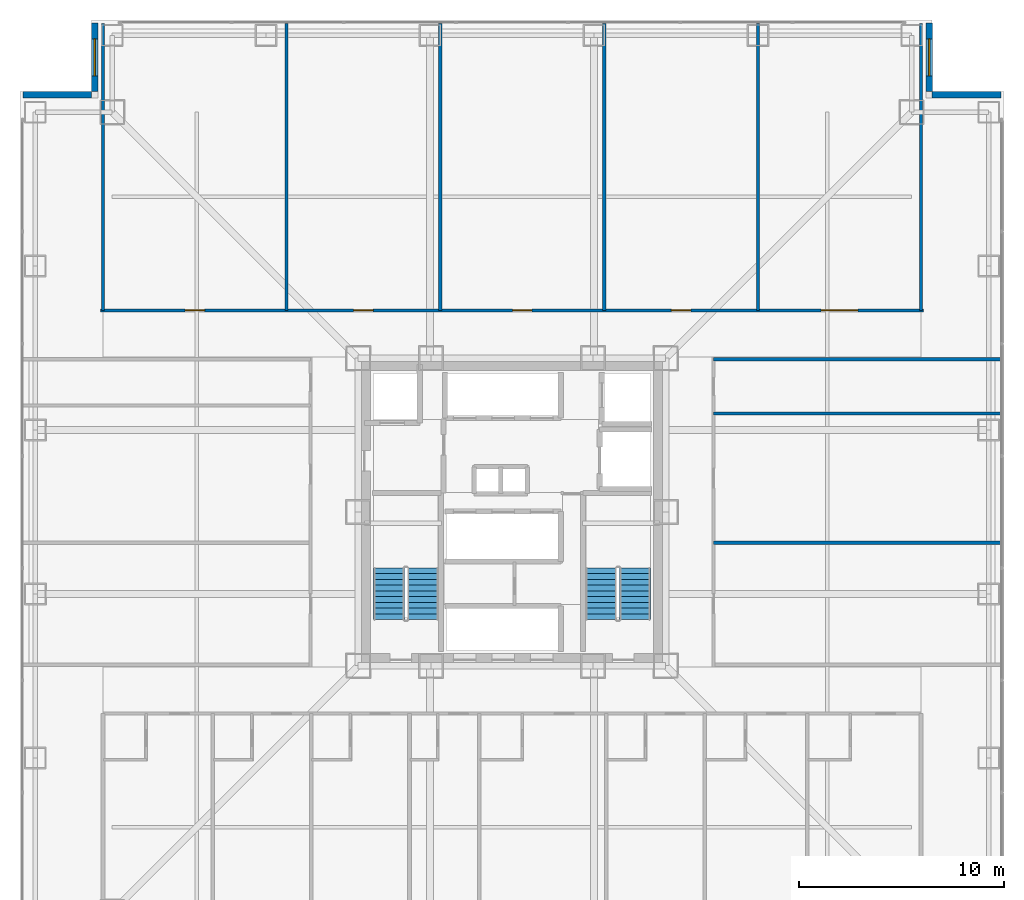
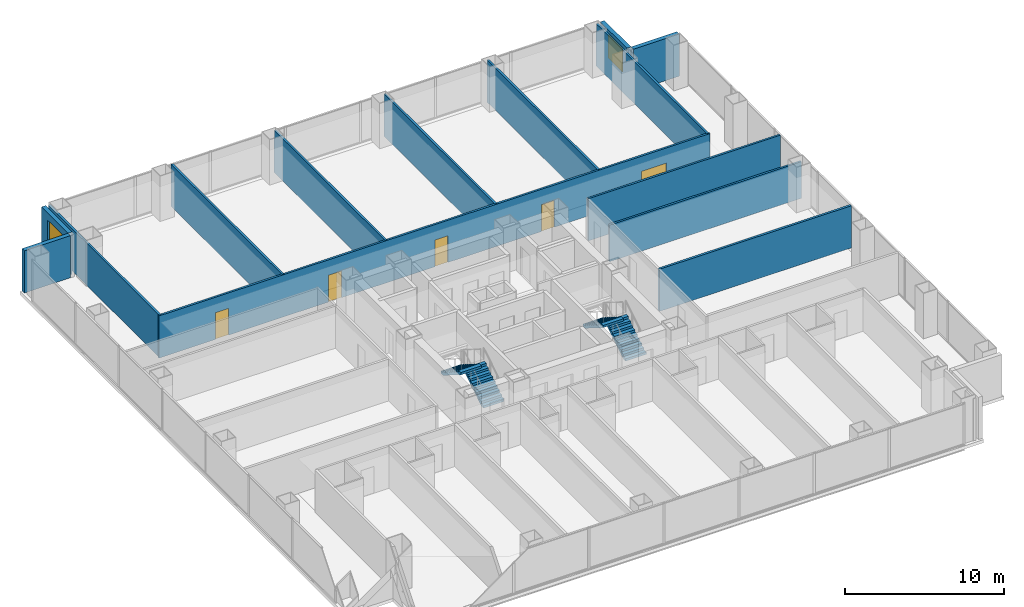
# One storey, part 17 of 20: 14 walls, 5 doors, 4 stair flights, 2 windows, 7 openings, 2 elements without a shape of their own.
"""IFC4 building model written with IfcOpenShell, lengths in metres."""

from ifc_helpers import new_model, si_unit, direction, frame, frame_2d, origin, place, context, subcontext, project, spatial, polyline, rectangle, outline, extrude, material, layer, layer_set, type_object, element, fill, aggregate, save


model = new_model("IFC4")

# Units and contexts
model_context = context("Model", 3, precision=1e-05, world=origin(), true_north=direction((0.0, 1.0)))
body_context = subcontext(model_context, "Body", "Model", "MODEL_VIEW")
ifc_project = project(units=[si_unit("LENGTHUNIT", "METRE"), si_unit("AREAUNIT", "SQUARE_METRE"), si_unit("VOLUMEUNIT", "CUBIC_METRE"), si_unit("PLANEANGLEUNIT", "RADIAN"), si_unit("MASSUNIT", "GRAM", prefix="KILO")], contexts=[model_context])

# Site, building, storey
site_placement = place(None, origin())
site = spatial("IfcSite", under=ifc_project, at=site_placement, CompositionType="ELEMENT")
building_placement = place(site_placement, origin())
building = spatial("IfcBuilding", under=site, at=building_placement, Name="Trevonay Congress Spire", CompositionType="ELEMENT")
storey_placement = place(building_placement, frame((0.0, 0.0, 62.0)))
storey = spatial("IfcBuildingStorey", under=building, at=storey_placement, Name="L15", CompositionType="ELEMENT", Elevation=62.0)

# Wall, openings, doors
ifc_material_1 = material(Name="Concrete C40/50", Category="concrete")
ifc_layer_1 = layer(ifc_material_1, 0.14990234375, Name="Concrete C40/50")
ifc_layer_set_1 = layer_set([ifc_layer_1], Name="Concrete C40/50")
wall_type_1 = type_object("IfcWallType", Name="WAL-CORR-150", PredefinedType="PARTITIONING", material=ifc_layer_set_1)
wall_1_placement = place(storey_placement, frame((-20.070068359375, 9.830078125, 0.0), z_axis=(0.0, 0.0, 1.0), x_axis=(1.0, 0.0, 0.0)))
wall_1 = element("IfcWall", 1, at=wall_1_placement, inside=storey, type_object=wall_type_1, Name="L15 interior wall WP-L15N-COR", PredefinedType="PARTITIONING", context=body_context, shape_type="SweptSolid", body=[
    extrude(rectangle(XDim=40.14013671875, YDim=0.14990234375, at=frame_2d((20.070068359375, 0.0))), origin(), (0.0, 0.0, 1.0), 3.25),
])
opening_1_placement = place(wall_1_placement, frame((4.1201171875, 0.0, 0.0)))
opening_1 = element("IfcOpeningElement", 2, at=opening_1_placement, cuts=wall_1, Name="Opening D07", PredefinedType="OPENING", context=body_context, shape_type="SweptSolid", body=[
    extrude(rectangle(XDim=0.949951171875, YDim=2.06005859375, at=frame_2d((0.47509765625, 1.030029296875))), frame((0.0, 0.0849609375, 0.0), z_axis=(0.0, -1.0, 0.0), x_axis=(1.0, 0.0, 0.0)), (0.0, 0.0, 1.0), 0.169921875),
])
opening_2_placement = place(wall_1_placement, frame((12.344970703125, 0.0, 0.0)))
opening_2 = element("IfcOpeningElement", 3, at=opening_2_placement, cuts=wall_1, Name="Opening D07", PredefinedType="OPENING", context=body_context, shape_type="SweptSolid", body=[
    extrude(rectangle(XDim=0.949951171875, YDim=2.06005859375, at=frame_2d((0.47509765625, 1.030029296875))), frame((0.0, 0.0849609375, 0.0), z_axis=(0.0, -1.0, 0.0), x_axis=(1.0, 0.0, 0.0)), (0.0, 0.0, 1.0), 0.169921875),
])
opening_3_placement = place(wall_1_placement, frame((20.094970703125, 0.0, 0.0)))
opening_3 = element("IfcOpeningElement", 4, at=opening_3_placement, cuts=wall_1, Name="Opening D07", PredefinedType="OPENING", context=body_context, shape_type="SweptSolid", body=[
    extrude(rectangle(XDim=0.949951171875, YDim=2.06005859375, at=frame_2d((0.47509765625, 1.030029296875))), frame((0.0, 0.0849609375, 0.0), z_axis=(0.0, -1.0, 0.0), x_axis=(1.0, 0.0, 0.0)), (0.0, 0.0, 1.0), 0.169921875),
])
opening_4_placement = place(wall_1_placement, frame((27.844970703125, 0.0, 0.0)))
opening_4 = element("IfcOpeningElement", 5, at=opening_4_placement, cuts=wall_1, Name="Opening D07", PredefinedType="OPENING", context=body_context, shape_type="SweptSolid", body=[
    extrude(rectangle(XDim=0.949951171875, YDim=2.06005859375, at=frame_2d((0.47509765625, 1.030029296875))), frame((0.0, 0.0849609375, 0.0), z_axis=(0.0, -1.0, 0.0), x_axis=(1.0, 0.0, 0.0)), (0.0, 0.0, 1.0), 0.169921875),
])
opening_5_placement = place(wall_1_placement, frame((35.14501953125, 0.0, 0.0)))
opening_5 = element("IfcOpeningElement", 6, at=opening_5_placement, cuts=wall_1, Name="Opening D09", PredefinedType="OPENING", context=body_context, shape_type="SweptSolid", body=[
    extrude(rectangle(XDim=1.800048828125, YDim=2.080078125, at=frame_2d((0.89990234375, 1.0400390625))), frame((0.0, 0.0849609375, 0.0), z_axis=(0.0, -1.0, 0.0), x_axis=(1.0, 0.0, 0.0)), (0.0, 0.0, 1.0), 0.169921875),
])
ifc_material_2 = material(Name="Pale Anodised Aluminium EN AW-6063-T6", Category="aluminium")
door_type_1 = type_object("IfcDoorType", Name="DOR-CONF-DBL", OperationType="DOUBLE_DOOR_SINGLE_SWING", PredefinedType="DOOR", material=ifc_material_2)
door_1_placement = place(opening_5_placement, origin())
door_1 = element("IfcDoor", 7, at=door_1_placement, inside=storey, type_object=door_type_1, Name="L15 Club Reading Library Lounge Door", OperationType="DOUBLE_DOOR_SINGLE_SWING", OverallHeight=2.080078125, OverallWidth=1.800048828125, PredefinedType="DOOR", context=body_context, shape_type="SweptSolid", body=[
    extrude(rectangle(XDim=1.800048828125, YDim=2.080078125, at=frame_2d((0.89990234375, 1.0400390625))), frame((0.0, 0.02490234375, 0.0), z_axis=(0.0, -1.0, 0.0), x_axis=(1.0, 0.0, 0.0)), (0.0, 0.0, 1.0), 0.050048828125),
])
fill(opening_5, door_1)
door_type_2 = type_object("IfcDoorType", Name="DOR-OFFICE-95", OperationType="NOTDEFINED", PredefinedType="DOOR", material=ifc_material_2)
door_2_placement = place(opening_1_placement, origin())
door_2 = element("IfcDoor", 8, at=door_2_placement, inside=storey, type_object=door_type_2, Name="L15 Executive Club Co-Working Office 1 Door", OperationType="SINGLE_SWING_LEFT", OverallHeight=2.06005859375, OverallWidth=0.949951171875, PredefinedType="DOOR", context=body_context, shape_type="SweptSolid", body=[
    extrude(rectangle(XDim=0.949951171875, YDim=2.06005859375, at=frame_2d((0.47509765625, 1.030029296875))), frame((0.0, 0.02490234375, 0.0), z_axis=(0.0, -1.0, 0.0), x_axis=(1.0, 0.0, 0.0)), (0.0, 0.0, 1.0), 0.050048828125),
])
fill(opening_1, door_2)
door_3_placement = place(opening_2_placement, origin())
door_3 = element("IfcDoor", 9, at=door_3_placement, inside=storey, type_object=door_type_2, Name="L15 Visiting Delegation Office 2 Door", OperationType="SINGLE_SWING_RIGHT", OverallHeight=2.06005859375, OverallWidth=0.949951171875, PredefinedType="DOOR", context=body_context, shape_type="SweptSolid", body=[
    extrude(rectangle(XDim=0.949951171875, YDim=2.06005859375, at=frame_2d((0.47509765625, 1.030029296875))), frame((0.0, 0.02490234375, 0.0), z_axis=(0.0, -1.0, 0.0), x_axis=(1.0, 0.0, 0.0)), (0.0, 0.0, 1.0), 0.050048828125),
])
fill(opening_2, door_3)
door_4_placement = place(opening_3_placement, origin())
door_4 = element("IfcDoor", 10, at=door_4_placement, inside=storey, type_object=door_type_2, Name="L15 Diplomatic Secretariat Office 3 Door", OperationType="SINGLE_SWING_LEFT", OverallHeight=2.06005859375, OverallWidth=0.949951171875, PredefinedType="DOOR", context=body_context, shape_type="SweptSolid", body=[
    extrude(rectangle(XDim=0.949951171875, YDim=2.06005859375, at=frame_2d((0.47509765625, 1.030029296875))), frame((0.0, 0.02490234375, 0.0), z_axis=(0.0, -1.0, 0.0), x_axis=(1.0, 0.0, 0.0)), (0.0, 0.0, 1.0), 0.050048828125),
])
fill(opening_3, door_4)
door_5_placement = place(opening_4_placement, origin())
door_5 = element("IfcDoor", 11, at=door_5_placement, inside=storey, type_object=door_type_2, Name="L15 Executive Boardroom North Door", OperationType="SINGLE_SWING_RIGHT", OverallHeight=2.06005859375, OverallWidth=0.949951171875, PredefinedType="DOOR", context=body_context, shape_type="SweptSolid", body=[
    extrude(rectangle(XDim=0.949951171875, YDim=2.06005859375, at=frame_2d((0.47509765625, 1.030029296875))), frame((0.0, 0.02490234375, 0.0), z_axis=(0.0, -1.0, 0.0), x_axis=(1.0, 0.0, 0.0)), (0.0, 0.0, 1.0), 0.050048828125),
])
fill(opening_4, door_5)

# Wall, opening, window
ifc_material_3 = material(Name="Precast concrete C40/50", Category="concrete")
ifc_layer_2 = layer(ifc_material_3, 0.300048828125, Name="Precast concrete C40/50")
ifc_layer_set_2 = layer_set([ifc_layer_2], Name="Precast concrete C40/50")
wall_type_2 = type_object("IfcWallType", Name="WAL-EXT-PRECAST-300", PredefinedType="SOLIDWALL", material=ifc_layer_set_2)
wall_2_placement = place(storey_placement, frame((20.35009765625, 23.85009765625, 0.0), z_axis=(0.0, 0.0, 1.0), x_axis=(0.0, -1.0, 0.0)))
wall_2 = element("IfcWall", 12, at=wall_2_placement, inside=storey, type_object=wall_type_2, Name="L15 NE re-entrant notch exterior wall 1", PredefinedType="SOLIDWALL", context=body_context, shape_type="SweptSolid", body=[
    extrude(rectangle(XDim=3.35009765625, YDim=0.300048828125, at=frame_2d((1.675048828125, 0.0))), origin(), (0.0, 0.0, 1.0), 3.25),
])
opening_6_placement = place(wall_2_placement, frame((0.77490234375, 0.0, 0.89990234375)))
opening_6 = element("IfcOpeningElement", 13, at=opening_6_placement, cuts=wall_2, Name="Opening WN01", PredefinedType="OPENING", context=body_context, shape_type="SweptSolid", body=[
    extrude(rectangle(XDim=1.800048828125, YDim=1.800048828125, at=frame_2d((0.89990234375, 0.89990234375))), frame((0.0, 0.16015625, 0.0), z_axis=(0.0, -1.0, 0.0), x_axis=(1.0, 0.0, 0.0)), (0.0, 0.0, 1.0), 0.320068359375),
])
ifc_material_4 = material(Name="Insulated Low-E Vision Glass IGU", Category="glass")
window_type = type_object("IfcWindowType", Name="WIN-HOTEL-180X180", PartitioningType="SINGLE_PANEL", PredefinedType="WINDOW", material=ifc_material_4)
window_1_placement = place(opening_6_placement, origin())
window_1 = element("IfcWindow", 14, at=window_1_placement, inside=storey, type_object=window_type, Name="L15 NE corner notch window", OverallHeight=1.800048828125, OverallWidth=1.800048828125, PartitioningType="SINGLE_PANEL", PredefinedType="WINDOW", context=body_context, shape_type="SweptSolid", body=[
    extrude(rectangle(XDim=1.800048828125, YDim=1.800048828125, at=frame_2d((0.89990234375, 0.89990234375))), frame((0.0, 0.030029296875, 0.0), z_axis=(0.0, -1.0, 0.0), x_axis=(1.0, 0.0, 0.0)), (0.0, 0.0, 1.0), 0.06005859375),
])
fill(opening_6, window_1)

# Wall
wall_3_placement = place(storey_placement, frame((23.85009765625, 20.35009765625, 0.0), z_axis=(0.0, 0.0, 1.0), x_axis=(-1.0, 0.0, 0.0)))
element("IfcWall", 15, at=wall_3_placement, inside=storey, type_object=wall_type_2, Name="L15 NE re-entrant notch exterior wall 2", PredefinedType="SOLIDWALL", context=body_context, shape_type="SweptSolid", body=[
    extrude(rectangle(XDim=3.35009765625, YDim=0.300048828125, at=frame_2d((1.675048828125, 0.0))), origin(), (0.0, 0.0, 1.0), 3.25),
])

# Wall, opening, window
wall_4_placement = place(storey_placement, frame((-20.35009765625, 23.85009765625, 0.0), z_axis=(0.0, 0.0, 1.0), x_axis=(0.0, -1.0, 0.0)))
wall_4 = element("IfcWall", 16, at=wall_4_placement, inside=storey, type_object=wall_type_2, Name="L15 NW re-entrant notch exterior wall 1", PredefinedType="SOLIDWALL", context=body_context, shape_type="SweptSolid", body=[
    extrude(rectangle(XDim=3.35009765625, YDim=0.300048828125, at=frame_2d((1.675048828125, 0.0))), origin(), (0.0, 0.0, 1.0), 3.25),
])
opening_7_placement = place(wall_4_placement, frame((0.77490234375, 0.0, 0.89990234375)))
opening_7 = element("IfcOpeningElement", 17, at=opening_7_placement, cuts=wall_4, Name="Opening WN01", PredefinedType="OPENING", context=body_context, shape_type="SweptSolid", body=[
    extrude(rectangle(XDim=1.800048828125, YDim=1.800048828125, at=frame_2d((0.89990234375, 0.89990234375))), frame((0.0, 0.16015625, 0.0), z_axis=(0.0, -1.0, 0.0), x_axis=(1.0, 0.0, 0.0)), (0.0, 0.0, 1.0), 0.320068359375),
])
window_2_placement = place(opening_7_placement, origin())
window_2 = element("IfcWindow", 18, at=window_2_placement, inside=storey, type_object=window_type, Name="L15 NW corner notch window", OverallHeight=1.800048828125, OverallWidth=1.800048828125, PartitioningType="SINGLE_PANEL", PredefinedType="WINDOW", context=body_context, shape_type="SweptSolid", body=[
    extrude(rectangle(XDim=1.800048828125, YDim=1.800048828125, at=frame_2d((0.89990234375, 0.89990234375))), frame((0.0, 0.030029296875, 0.0), z_axis=(0.0, -1.0, 0.0), x_axis=(1.0, 0.0, 0.0)), (0.0, 0.0, 1.0), 0.06005859375),
])
fill(opening_7, window_2)

# Walls
wall_5_placement = place(storey_placement, frame((-23.85009765625, 20.35009765625, 0.0), z_axis=(0.0, 0.0, 1.0), x_axis=(1.0, 0.0, 0.0)))
element("IfcWall", 19, at=wall_5_placement, inside=storey, type_object=wall_type_2, Name="L15 NW re-entrant notch exterior wall 2", PredefinedType="SOLIDWALL", context=body_context, shape_type="SweptSolid", body=[
    extrude(rectangle(XDim=3.35009765625, YDim=0.300048828125, at=frame_2d((1.675048828125, 0.0))), origin(), (0.0, 0.0, 1.0), 3.25),
])
ifc_layer_3 = layer(ifc_material_1, 0.14990234375, Name="Concrete C40/50")
ifc_layer_set_3 = layer_set([ifc_layer_3], Name="Concrete C40/50")
wall_type_3 = type_object("IfcWallType", Name="WAL-PART-150", PredefinedType="PARTITIONING", material=ifc_layer_set_3)
for number, where, z_axis, x_axis, name in (
    (20, (-19.949951171875, 9.830078125, 0.0), (0.0, 0.0, 1.0), (0.0, 1.0, 0.0), "L15 interior wall WP-L15N-DIV1"),
    (21, (-11.0, 9.830078125, 0.0), (0.0, 0.0, 1.0), (0.0, 1.0, 0.0), "L15 interior wall WP-L15N-DIV2"),
    (22, (-3.5, 9.830078125, 0.0), (0.0, 0.0, 1.0), (0.0, 1.0, 0.0), "L15 interior wall WP-L15N-DIV3"),
    (23, (4.5, 9.830078125, 0.0), (0.0, 0.0, 1.0), (0.0, 1.0, 0.0), "L15 interior wall WP-L15N-DIV4"),
    (24, (12.0, 9.830078125, 0.0), (0.0, 0.0, 1.0), (0.0, 1.0, 0.0), "L15 interior wall WP-L15N-DIV5"),
    (25, (19.949951171875, 9.830078125, 0.0), (0.0, 0.0, 1.0), (0.0, 1.0, 0.0), "L15 interior wall WP-L15N-DIV6"),
):
    element("IfcWall", number, at=place(storey_placement, frame(where, z_axis=z_axis, x_axis=x_axis)), inside=storey, type_object=wall_type_3, Name=name, PredefinedType="PARTITIONING", context=body_context, shape_type="SweptSolid", body=[
        extrude(rectangle(XDim=13.989990234375, YDim=0.14990234375, at=frame_2d((6.9951171875, 0.0))), origin(), (0.0, 0.0, 1.0), 3.25),
    ])
wall_6_placement = place(storey_placement, frame((9.830078125, 4.800048828125, 0.0), z_axis=(0.0, 0.0, 1.0), x_axis=(1.0, 0.0, 0.0)))
element("IfcWall", 26, at=wall_6_placement, inside=storey, type_object=wall_type_3, Name="L15 interior wall WP-L15E-DIV3", PredefinedType="PARTITIONING", context=body_context, shape_type="SweptSolid", body=[
    extrude(rectangle(XDim=13.989990234375, YDim=0.14990234375, at=frame_2d((6.9951171875, 0.0))), origin(), (0.0, 0.0, 1.0), 2.818115234375),
])
wall_7_placement = place(storey_placement, frame((9.830078125, 7.449951171875, 0.0), z_axis=(0.0, 0.0, 1.0), x_axis=(1.0, 0.0, 0.0)))
element("IfcWall", 27, at=wall_7_placement, inside=storey, type_object=wall_type_3, Name="L15 interior wall WP-L15E-DIV4", PredefinedType="PARTITIONING", context=body_context, shape_type="SweptSolid", body=[
    extrude(rectangle(XDim=13.989990234375, YDim=0.14990234375, at=frame_2d((6.9951171875, 0.0))), origin(), (0.0, 0.0, 1.0), 3.25),
])
ifc_layer_4 = layer(ifc_material_1, 0.1650390625, Name="Concrete C40/50")
ifc_layer_set_4 = layer_set([ifc_layer_4], Name="Concrete C40/50")
wall_type_4 = type_object("IfcWallType", Name="WAL-WET-165", PredefinedType="PLUMBINGWALL", material=ifc_layer_set_4)
wall_8_placement = place(storey_placement, frame((9.830078125, -1.5, 0.0), z_axis=(0.0, 0.0, 1.0), x_axis=(1.0, 0.0, 0.0)))
element("IfcWall", 28, at=wall_8_placement, inside=storey, type_object=wall_type_4, Name="L15 interior wall WP-L15E-DIV2", PredefinedType="PLUMBINGWALL", context=body_context, shape_type="SweptSolid", body=[
    extrude(rectangle(XDim=13.989990234375, YDim=0.1650390625, at=frame_2d((6.9951171875, 0.0))), origin(), (0.0, 0.0, 1.0), 3.25),
])

# Stair, stair flights
stair_type_1 = type_object("IfcStairType", Name="STR-ST-1", PredefinedType="HALF_TURN_STAIR", material=ifc_material_1)
stair_1_placement = place(storey_placement, origin())
stair_1 = element("IfcStair", 29, at=stair_1_placement, inside=storey, type_object=stair_type_1, Name="L15 Protected Exit Stair ST-1", PredefinedType="HALF_TURN_STAIR")
stair_flight_type_1 = type_object("IfcStairFlightType", Name="SFL-ST-1", PredefinedType="STRAIGHT", material=ifc_material_1)
stair_flight_1_placement = place(storey_placement, frame((-4.35009765625, -5.25, 0.0), z_axis=(0.0, 0.0, 1.0), x_axis=(0.0, 1.0, 0.0)))
stair_flight_1 = element("IfcStairFlight", 30, at=stair_flight_1_placement, type_object=stair_flight_type_1, Name="ST-1 flight 1", NumberOfRisers=10, NumberOfTreads=9, PredefinedType="STRAIGHT", RiserHeight=0.175, TreadLength=0.28, context=body_context, shape_type="SweptSolid", body=[
    extrude(outline(polyline([(0.0, 0.0), (0.0, 0.175048828125), (0.280029296875, 0.175048828125), (0.280029296875, 0.35009765625), (0.56005859375, 0.35009765625), (0.56005859375, 0.52490234375), (0.840087890625, 0.52490234375), (0.840087890625, 0.699951171875), (1.1201171875, 0.699951171875), (1.1201171875, 0.875), (1.39990234375, 0.875), (1.39990234375, 1.050048828125), (1.679931640625, 1.050048828125), (1.679931640625, 1.22509765625), (1.9599609375, 1.22509765625), (1.9599609375, 1.39990234375), (2.239990234375, 1.39990234375), (2.239990234375, 1.574951171875), (2.52001953125, 1.574951171875), (2.52001953125, 1.75), (2.52001953125, 1.398193359375), (0.28271484375, 0.0), (0.0, 0.0)])), frame((0.0, 0.75, 0.0), z_axis=(0.0, -1.0, 0.0), x_axis=(1.0, 0.0, 0.0)), (0.0, 0.0, 1.0), 1.5),
])
stair_flight_2_placement = place(storey_placement, frame((-6.0, -2.72998046875, 1.75), z_axis=(0.0, 0.0, 1.0), x_axis=(0.0, -1.0, 0.0)))
stair_flight_2 = element("IfcStairFlight", 31, at=stair_flight_2_placement, type_object=stair_flight_type_1, Name="ST-1 flight 2", NumberOfRisers=10, NumberOfTreads=9, PredefinedType="STRAIGHT", RiserHeight=0.175, TreadLength=0.28, context=body_context, shape_type="SweptSolid", body=[
    extrude(outline(polyline([(0.0, 0.0), (0.0, 0.175048828125), (0.280029296875, 0.175048828125), (0.280029296875, 0.35009765625), (0.56005859375, 0.35009765625), (0.56005859375, 0.52490234375), (0.840087890625, 0.52490234375), (0.840087890625, 0.699951171875), (1.1201171875, 0.699951171875), (1.1201171875, 0.875), (1.39990234375, 0.875), (1.39990234375, 1.050048828125), (1.679931640625, 1.050048828125), (1.679931640625, 1.22509765625), (1.9599609375, 1.22509765625), (1.9599609375, 1.39990234375), (2.239990234375, 1.39990234375), (2.239990234375, 1.574951171875), (2.52001953125, 1.574951171875), (2.52001953125, 1.75), (2.52001953125, 1.398193359375), (0.28271484375, 0.0), (0.0, 0.0)])), frame((0.0, 0.75, 0.0), z_axis=(0.0, -1.0, 0.0), x_axis=(1.0, 0.0, 0.0)), (0.0, 0.0, 1.0), 1.5),
])
aggregate(stair_1, [stair_flight_1, stair_flight_2])

stair_type_2 = type_object("IfcStairType", Name="STR-ST-2", PredefinedType="HALF_TURN_STAIR", material=ifc_material_1)
stair_2_placement = place(storey_placement, origin())
stair_2 = element("IfcStair", 32, at=stair_2_placement, inside=storey, type_object=stair_type_2, Name="L15 Protected Exit Stair ST-2", PredefinedType="HALF_TURN_STAIR")
stair_flight_type_2 = type_object("IfcStairFlightType", Name="SFL-ST-2", PredefinedType="STRAIGHT", material=ifc_material_1)
stair_flight_3_placement = place(storey_placement, frame((6.0, -5.25, 0.0), z_axis=(0.0, 0.0, 1.0), x_axis=(0.0, 1.0, 0.0)))
stair_flight_3 = element("IfcStairFlight", 33, at=stair_flight_3_placement, type_object=stair_flight_type_2, Name="ST-2 flight 1", NumberOfRisers=10, NumberOfTreads=9, PredefinedType="STRAIGHT", RiserHeight=0.175, TreadLength=0.28, context=body_context, shape_type="SweptSolid", body=[
    extrude(outline(polyline([(0.0, 0.0), (0.0, 0.175048828125), (0.280029296875, 0.175048828125), (0.280029296875, 0.35009765625), (0.56005859375, 0.35009765625), (0.56005859375, 0.52490234375), (0.840087890625, 0.52490234375), (0.840087890625, 0.699951171875), (1.1201171875, 0.699951171875), (1.1201171875, 0.875), (1.39990234375, 0.875), (1.39990234375, 1.050048828125), (1.679931640625, 1.050048828125), (1.679931640625, 1.22509765625), (1.9599609375, 1.22509765625), (1.9599609375, 1.39990234375), (2.239990234375, 1.39990234375), (2.239990234375, 1.574951171875), (2.52001953125, 1.574951171875), (2.52001953125, 1.75), (2.52001953125, 1.398193359375), (0.28271484375, 0.0), (0.0, 0.0)])), frame((0.0, 0.75, 0.0), z_axis=(0.0, -1.0, 0.0), x_axis=(1.0, 0.0, 0.0)), (0.0, 0.0, 1.0), 1.5),
])
stair_flight_4_placement = place(storey_placement, frame((4.35009765625, -2.72998046875, 1.75), z_axis=(0.0, 0.0, 1.0), x_axis=(0.0, -1.0, 0.0)))
stair_flight_4 = element("IfcStairFlight", 34, at=stair_flight_4_placement, type_object=stair_flight_type_2, Name="ST-2 flight 2", NumberOfRisers=10, NumberOfTreads=9, PredefinedType="STRAIGHT", RiserHeight=0.175, TreadLength=0.28, context=body_context, shape_type="SweptSolid", body=[
    extrude(outline(polyline([(0.0, 0.0), (0.0, 0.175048828125), (0.280029296875, 0.175048828125), (0.280029296875, 0.35009765625), (0.56005859375, 0.35009765625), (0.56005859375, 0.52490234375), (0.840087890625, 0.52490234375), (0.840087890625, 0.699951171875), (1.1201171875, 0.699951171875), (1.1201171875, 0.875), (1.39990234375, 0.875), (1.39990234375, 1.050048828125), (1.679931640625, 1.050048828125), (1.679931640625, 1.22509765625), (1.9599609375, 1.22509765625), (1.9599609375, 1.39990234375), (2.239990234375, 1.39990234375), (2.239990234375, 1.574951171875), (2.52001953125, 1.574951171875), (2.52001953125, 1.75), (2.52001953125, 1.398193359375), (0.28271484375, 0.0), (0.0, 0.0)])), frame((0.0, 0.75, 0.0), z_axis=(0.0, -1.0, 0.0), x_axis=(1.0, 0.0, 0.0)), (0.0, 0.0, 1.0), 1.5),
])
aggregate(stair_2, [stair_flight_3, stair_flight_4])

save(model, "model.ifc")
